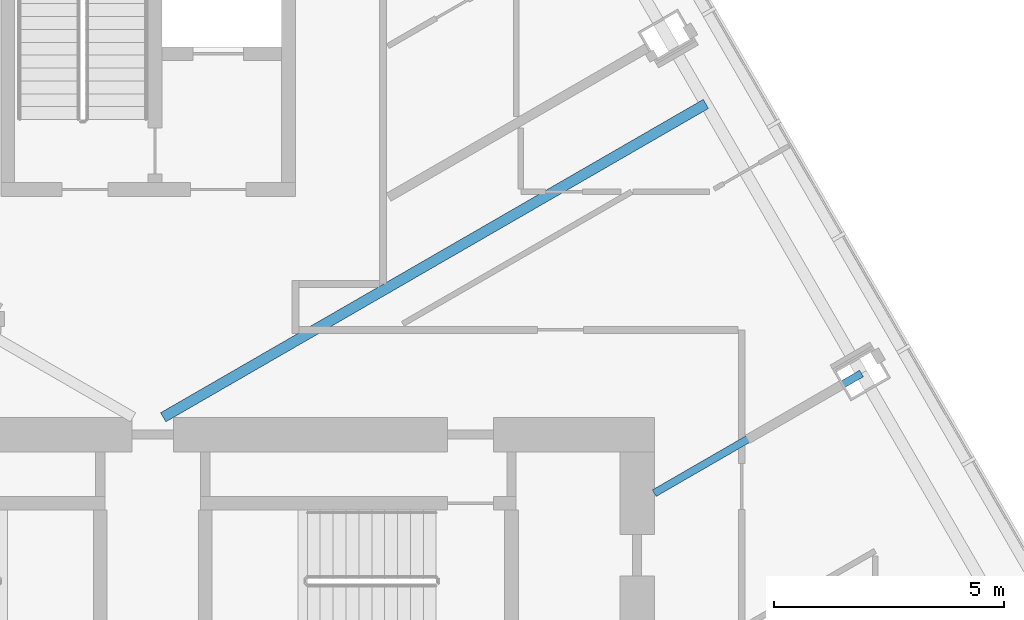
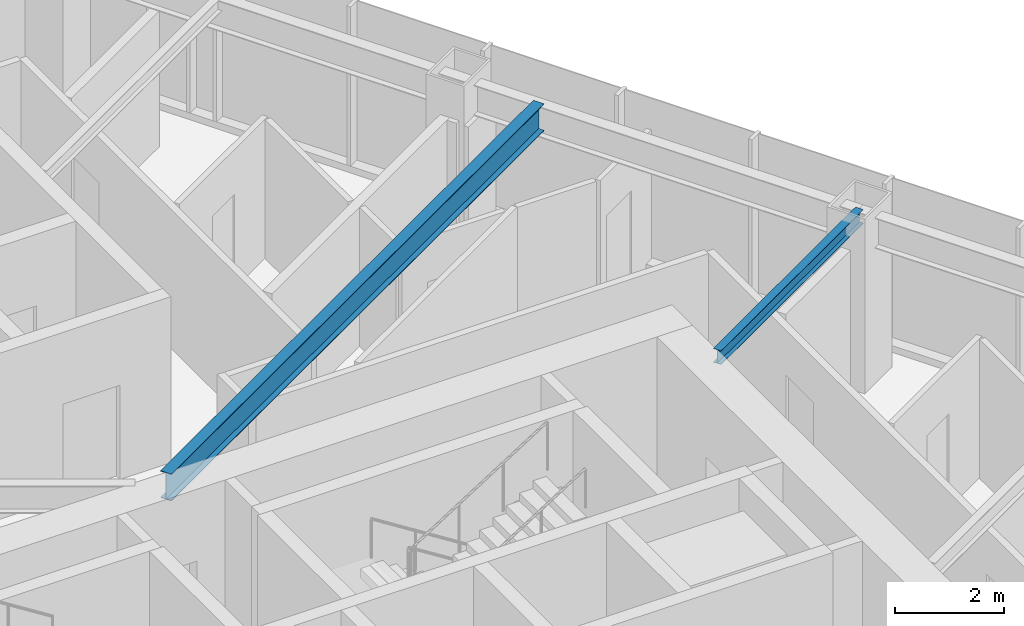
# One storey, part 8 of 20: 2 beams.
"""IFC4 building model written with IfcOpenShell, lengths in metres."""

from ifc_helpers import new_model, si_unit, direction, frame, origin, origin_2d, place, context, subcontext, project, spatial, i_section, extrude, material, material_profile, profile_set, type_object, element, save


model = new_model("IFC4")

# Units and contexts
model_context = context("Model", 3, precision=1e-05, world=origin(), true_north=direction((0.0, 1.0)))
body_context = subcontext(model_context, "Body", "Model", "MODEL_VIEW")
ifc_project = project(units=[si_unit("LENGTHUNIT", "METRE"), si_unit("AREAUNIT", "SQUARE_METRE"), si_unit("VOLUMEUNIT", "CUBIC_METRE"), si_unit("PLANEANGLEUNIT", "RADIAN"), si_unit("MASSUNIT", "GRAM", prefix="KILO")], contexts=[model_context])

# Site, building, storey
site_placement = place(None, origin())
site = spatial("IfcSite", under=ifc_project, at=site_placement, CompositionType="ELEMENT")
building_placement = place(site_placement, origin())
building = spatial("IfcBuilding", under=site, at=building_placement, Name="Firuza Gate Tower and Library", CompositionType="ELEMENT")
storey_placement = place(building_placement, frame((0.0, 0.0, 214.300048828125)))
storey = spatial("IfcBuildingStorey", under=building, at=storey_placement, Name="L50", CompositionType="ELEMENT", Elevation=214.300048828125)

# Beams
ifc_material_1 = material(Name="Steel S355", Category="steel")
ifc_material_profile_1 = material_profile(ifc_material_1, i_section(OverallWidth=0.1650390625, OverallDepth=0.31005859375, WebThickness=0.005859375, FlangeThickness=0.009765625, at=origin_2d()))
ifc_profile_set_1 = profile_set([ifc_material_profile_1], Name="Steel S355")
beam_type_1 = type_object("IfcBeamType", Name="W310x39 Floor beam", PredefinedType="JOIST", material=ifc_profile_set_1)
beam_1_placement = place(storey_placement, frame((90.504150390625, 83.951171875, 3.544921875), z_axis=(-0.866036280653, -0.499981160238, 0.0), x_axis=(0.499981160238, -0.866036280653, 0.0)))
element("IfcBeam", 1, at=beam_1_placement, inside=storey, type_object=beam_type_1, Name="Floor beam L50 s52", PredefinedType="JOIST", context=body_context, shape_type="SweptSolid", body=[
    extrude(i_section(OverallWidth=0.1650390625, OverallDepth=0.31005859375, WebThickness=0.005859375, FlangeThickness=0.009765625, at=origin_2d()), origin(), (0.0, 0.0, 1.0), 5.200927734375),
])
ifc_material_2 = material(Name="Steel S355", Category="steel")
ifc_material_profile_2 = material_profile(ifc_material_2, i_section(OverallWidth=0.22802734375, OverallDepth=0.60302734375, WebThickness=0.010498046875, FlangeThickness=0.014892578125, at=origin_2d()))
ifc_profile_set_2 = profile_set([ifc_material_profile_2], Name="Steel S355")
beam_type_2 = type_object("IfcBeamType", Name="W610x101 Floor beam", PredefinedType="JOIST", material=ifc_profile_set_2)
beam_2_placement = place(storey_placement, frame((87.121826171875, 89.8095703125, 3.3984375), z_axis=(-0.866023785365, -0.500002803175, 0.0), x_axis=(0.500002803175, -0.866023785365, 0.0)))
element("IfcBeam", 2, at=beam_2_placement, inside=storey, type_object=beam_type_2, Name="Floor beam L50 s53", PredefinedType="JOIST", context=body_context, shape_type="SweptSolid", body=[
    extrude(i_section(OverallWidth=0.22802734375, OverallDepth=0.60302734375, WebThickness=0.010498046875, FlangeThickness=0.014892578125, at=origin_2d()), origin(), (0.0, 0.0, 1.0), 13.619140625),
])

save(model, "model.ifc")
